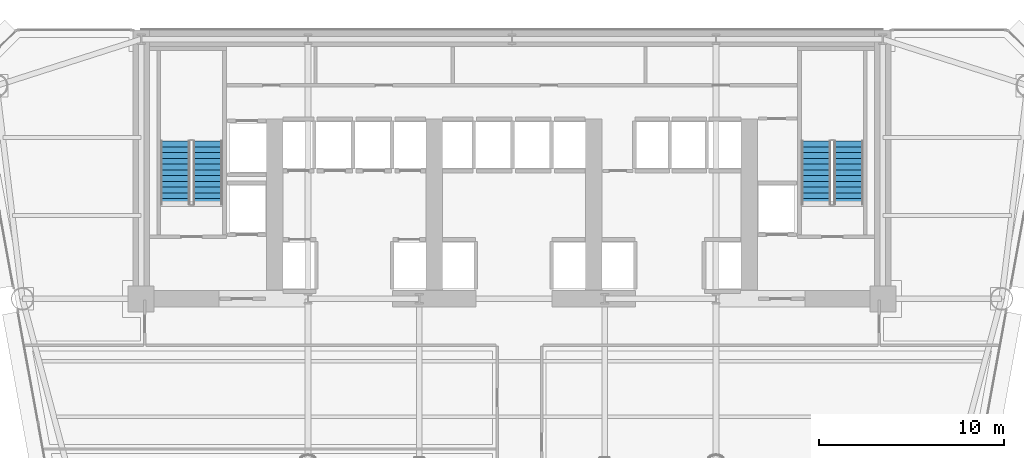
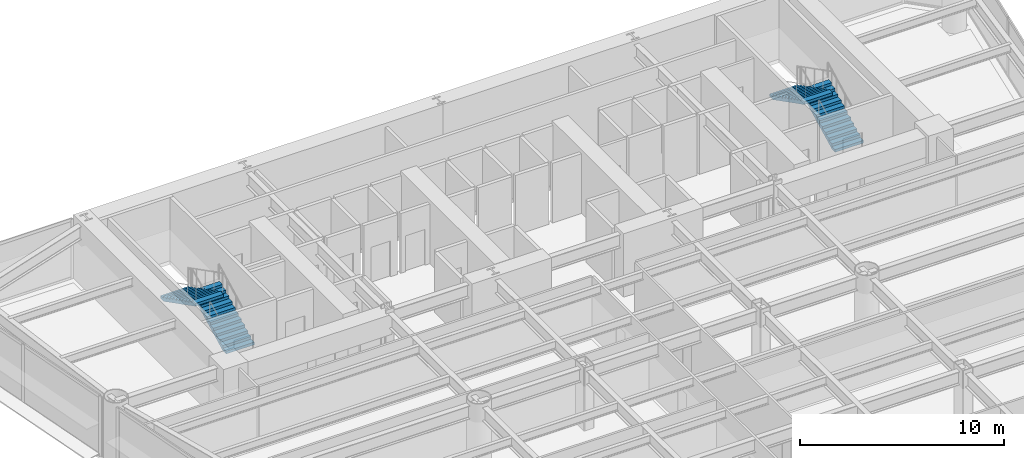
# One storey, part 10 of 14: 4 stair flights, 2 elements without a shape of their own.
"""IFC4 building model written with IfcOpenShell, lengths in metres."""

import ifcopenshell
import ifcopenshell.guid

model = None  # the IFC model being written
_history = None  # IfcOwnerHistory: only IFC2X3 demands one
_inside = {}  # id of a spatial element -> (the spatial element, [elements in it])
_under = {}  # id of a project, library or spatial element -> (it, [spatial elements below it])
_declared = {}  # id of a project -> (the project, [libraries it declares])
_typed = {}  # id of a type object -> (the type object, [elements of that type])
_made_of = {}  # id of a material, layer set ... -> (it, [elements and type objects made of it])


def new_model(schema):
    """Start an empty IFC model of exactly this schema.

    Asked for "IFC4X3", IfcOpenShell would pick the latest addendum, in which some entities
    have other attributes; the version numbers below select the first issue.
    IFC2X3 requires an IfcOwnerHistory on every rooted entity: one is made here for all.
    """
    global model, _history
    if schema == "IFC4X3":
        model = ifcopenshell.file(schema_version=(4, 3, 0, 0))
    else:
        model = ifcopenshell.file(schema=schema)
    _inside.clear()
    _under.clear()
    _declared.clear()
    _typed.clear()
    _made_of.clear()
    _history = None
    if model.schema == "IFC2X3":
        org = make("IfcOrganization", Name="unknown")
        user = make(
            "IfcPersonAndOrganization",
            ThePerson=make("IfcPerson", FamilyName="unknown"),
            TheOrganization=org,
        )
        app = make(
            "IfcApplication",
            ApplicationDeveloper=org,
            Version="unknown",
            ApplicationFullName="unknown",
            ApplicationIdentifier="unknown",
        )
        _history = make(
            "IfcOwnerHistory",
            OwningUser=user,
            OwningApplication=app,
            ChangeAction="ADDED",
            CreationDate=0,
        )
    return model


def make(cls, **values):
    """One entity of the class cls with the attributes given. An attribute that is None is left unset."""
    return model.create_entity(
        cls, **{name: value for name, value in values.items() if value is not None}
    )


def rooted(cls, **values):
    """An entity with a GlobalId (a new one), such as an element, a storey or a relation."""
    return make(cls, GlobalId=ifcopenshell.guid.new(), OwnerHistory=_history, **values)


def si_unit(unit_type, name, prefix=None):
    """IfcSIUnit, for example si_unit("LENGTHUNIT", "METRE", prefix="MILLI")."""
    return make("IfcSIUnit", UnitType=unit_type, Prefix=prefix, Name=name)


def assignment(units):
    """IfcUnitAssignment: the units of a project."""
    return None if units is None else make("IfcUnitAssignment", Units=units)


def point(xyz):
    """IfcCartesianPoint."""
    return None if xyz is None else make("IfcCartesianPoint", Coordinates=xyz)


def direction(xyz):
    """IfcDirection."""
    return None if xyz is None else make("IfcDirection", DirectionRatios=xyz)


def frame(location, z_axis=None, x_axis=None):
    """IfcAxis2Placement3D, a coordinate frame: its origin and axes. An axis left out is left unset."""
    return make(
        "IfcAxis2Placement3D",
        Location=point(location),
        Axis=direction(z_axis),
        RefDirection=direction(x_axis),
    )


def origin():
    """The frame at (0, 0, 0) with its axes left unset."""
    return frame((0.0, 0.0, 0.0))


def place(relative_to, where):
    """IfcLocalPlacement: puts the frame where relative to a parent placement (None: the world)."""
    return make(
        "IfcLocalPlacement", PlacementRelTo=relative_to, RelativePlacement=where
    )


def context(
    kind, dimensions, precision=None, world=None, true_north=None, identifier=None
):
    """IfcGeometricRepresentationContext, for example the 3D "Model" context."""
    return make(
        "IfcGeometricRepresentationContext",
        ContextIdentifier=identifier,
        ContextType=kind,
        CoordinateSpaceDimension=dimensions,
        Precision=precision,
        WorldCoordinateSystem=world,
        TrueNorth=true_north,
    )


def subcontext(parent, identifier, kind, view, scale=None):
    """IfcGeometricRepresentationSubContext, for example "Body" below "Model"."""
    return make(
        "IfcGeometricRepresentationSubContext",
        ContextIdentifier=identifier,
        ContextType=kind,
        ParentContext=parent,
        TargetScale=scale,
        TargetView=view,
    )


def project(units=None, contexts=None):
    """IfcProject with its units and contexts."""
    return rooted(
        "IfcProject",
        Name="project",
        RepresentationContexts=contexts,
        UnitsInContext=assignment(units),
    )


def spatial(cls, under=None, at=None, **own):
    """A site, building, storey or space (cls), placed at a placement, below another one or the project."""
    s = rooted(cls, ObjectPlacement=at, **own)
    if under is not None:
        _under.setdefault(under.id(), (under, []))[1].append(s)
    return s


def polyline(points):
    """IfcPolyline through the points."""
    return make("IfcPolyline", Points=[point(p) for p in points])


def outline(outer, holes=None, kind="AREA"):
    """IfcArbitraryClosedProfileDef: a profile drawn as a closed curve; with holes, ...WithVoids."""
    if holes is None:
        return make("IfcArbitraryClosedProfileDef", ProfileType=kind, OuterCurve=outer)
    return make(
        "IfcArbitraryProfileDefWithVoids",
        ProfileType=kind,
        OuterCurve=outer,
        InnerCurves=holes,
    )


def extrude(swept, where, along, depth):
    """IfcExtrudedAreaSolid: the profile swept, set in the frame where, extruded along a direction by depth."""
    return make(
        "IfcExtrudedAreaSolid",
        SweptArea=swept,
        Position=where,
        ExtrudedDirection=direction(along),
        Depth=depth,
    )


def shape(context_of_items, identifier, shape_type, items):
    """IfcShapeRepresentation: the items that make up one representation, for example the "Body"."""
    return make(
        "IfcShapeRepresentation",
        ContextOfItems=context_of_items,
        RepresentationIdentifier=identifier,
        RepresentationType=shape_type,
        Items=items,
    )


def material(Name=None, Category=None):
    """IfcMaterial."""
    return make("IfcMaterial", Name=Name, Category=Category)


def made_of(thing, what):
    """Note that an element or type object is made of a material, layer set ...; save() writes the relation."""
    if what is not None:
        _made_of.setdefault(what.id(), (what, []))[1].append(thing)
    return thing


def type_object(cls, material=None, **own):
    """A type object (cls), such as IfcWallType, which elements share."""
    return made_of(rooted(cls, **own), material)


def element(
    cls,
    number,
    at=None,
    inside=None,
    cuts=None,
    type_object=None,
    material=None,
    context=None,
    identifier="Body",
    shape_type=None,
    held_by="IfcProductDefinitionShape",
    body=None,
    shapes=None,
    **own,
):
    """One element of the class cls, such as IfcWall. Its Tag is "e" and its number.

    at: its placement. inside: the storey or other place that contains it. cuts: it is an
    opening in that element (IfcRelVoidsElement). A single representation is given by context,
    identifier, shape_type and body (its items); several are given by shapes. held_by: the class
    of the entity that holds the representations. save() writes the other relations.
    """
    e = rooted(cls, Tag="e%d" % number, ObjectPlacement=at, **own)
    if body is not None:
        shapes = [shape(context, identifier, shape_type, body)]
    if shapes is not None:
        e.Representation = make(held_by, Representations=shapes)
    if inside is not None:
        _inside.setdefault(inside.id(), (inside, []))[1].append(e)
    if cuts is not None:
        rooted(
            "IfcRelVoidsElement", RelatingBuildingElement=cuts, RelatedOpeningElement=e
        )
    if type_object is not None:
        _typed.setdefault(type_object.id(), (type_object, []))[1].append(e)
    return made_of(e, material)


def aggregate(whole, parts):
    """IfcRelAggregates: a whole, such as a stair, and the parts it consists of."""
    return rooted("IfcRelAggregates", RelatingObject=whole, RelatedObjects=parts)


def save(model, path):
    """Write the relations noted so far, then the file.

    IfcRelAggregates (storeys below a building ...), IfcRelContainedInSpatialStructure (elements
    in a storey), IfcRelDefinesByType, IfcRelAssociatesMaterial and IfcRelDeclares: one each for
    every whole, place, type object, material and project.
    """
    for whole, parts in _under.values():
        aggregate(whole, parts)
    for where, things in _inside.values():
        rooted(
            "IfcRelContainedInSpatialStructure",
            RelatedElements=things,
            RelatingStructure=where,
        )
    for kind, things in _typed.values():
        rooted("IfcRelDefinesByType", RelatedObjects=things, RelatingType=kind)
    for what, things in _made_of.values():
        rooted("IfcRelAssociatesMaterial", RelatedObjects=things, RelatingMaterial=what)
    for by, libraries in _declared.values():
        rooted("IfcRelDeclares", RelatingContext=by, RelatedDefinitions=libraries)
    model.write(path)


model = new_model("IFC4")

# Units and contexts
model_context = context("Model", 3, precision=1e-05, world=origin(), true_north=direction((0.0, 1.0)))
body_context = subcontext(model_context, "Body", "Model", "MODEL_VIEW")
ifc_project = project(units=[si_unit("LENGTHUNIT", "METRE"), si_unit("AREAUNIT", "SQUARE_METRE"), si_unit("VOLUMEUNIT", "CUBIC_METRE"), si_unit("PLANEANGLEUNIT", "RADIAN"), si_unit("MASSUNIT", "GRAM", prefix="KILO")], contexts=[model_context])

# Site, building, storey
site_placement = place(None, origin())
site = spatial("IfcSite", under=ifc_project, at=site_placement, CompositionType="ELEMENT")
building_placement = place(site_placement, origin())
building = spatial("IfcBuilding", under=site, at=building_placement, Name="Vaeldorn Concourse Tower", CompositionType="ELEMENT")
storey_placement = place(building_placement, frame((0.0, 0.0, 68.199951171875)))
storey = spatial("IfcBuildingStorey", under=building, at=storey_placement, Name="L17", CompositionType="ELEMENT", Elevation=68.199951171875)

# Stair, stair flights
ifc_material = material(Name="Precast concrete C40/50", Category="concrete")
stair_type = type_object("IfcStairType", Name="STR-DOG-24x158", PredefinedType="HALF_TURN_STAIR", material=ifc_material)
stair_1_placement = place(storey_placement, origin())
stair_1 = element("IfcStair", 1, at=stair_1_placement, inside=storey, type_object=stair_type, Name="L17 West Core Exit Stair ST-1", PredefinedType="HALF_TURN_STAIR")
stair_flight_type = type_object("IfcStairFlightType", Name="STF-STR-12x158", PredefinedType="STRAIGHT", material=ifc_material)
stair_flight_1_placement = place(storey_placement, frame((17.60009765625, 41.60009765625, 0.0), z_axis=(0.0, 0.0, 1.0), x_axis=(0.0, 1.0, 0.0)))
stair_flight_1 = element("IfcStairFlight", 2, at=stair_flight_1_placement, type_object=stair_flight_type, Name="ST-1 flight 1", NumberOfRisers=12, NumberOfTreads=11, PredefinedType="STRAIGHT", RiserHeight=0.158333333, TreadLength=0.31, context=body_context, shape_type="SweptSolid", body=[
    extrude(outline(polyline([(0.0, 0.0), (0.0, 0.158447265625), (0.31005859375, 0.158447265625), (0.31005859375, 0.316650390625), (0.6201171875, 0.316650390625), (0.6201171875, 0.47509765625), (0.929931640625, 0.47509765625), (0.929931640625, 0.63330078125), (1.239990234375, 0.63330078125), (1.239990234375, 0.791748046875), (1.550048828125, 0.791748046875), (1.550048828125, 0.949951171875), (1.860107421875, 0.949951171875), (1.860107421875, 1.1083984375), (2.169921875, 1.1083984375), (2.169921875, 1.2666015625), (2.47998046875, 1.2666015625), (2.47998046875, 1.425048828125), (2.7900390625, 1.425048828125), (2.7900390625, 1.583251953125), (3.10009765625, 1.583251953125), (3.10009765625, 1.74169921875), (3.409912109375, 1.74169921875), (3.409912109375, 1.89990234375), (3.409912109375, 1.5732421875), (0.32958984375, 0.0), (0.0, 0.0)])), frame((0.0, 0.800048828125, 0.0), z_axis=(0.0, -1.0, 0.0), x_axis=(1.0, 0.0, 0.0)), (0.0, 0.0, 1.0), 1.60009765625),
])
stair_flight_2_placement = place(storey_placement, frame((15.85009765625, 45.010009765625, 1.900146484375), z_axis=(0.0, 0.0, 1.0), x_axis=(0.0, -1.0, 0.0)))
stair_flight_2 = element("IfcStairFlight", 3, at=stair_flight_2_placement, type_object=stair_flight_type, Name="ST-1 flight 2", NumberOfRisers=12, NumberOfTreads=11, PredefinedType="STRAIGHT", RiserHeight=0.158333333, TreadLength=0.31, context=body_context, shape_type="SweptSolid", body=[
    extrude(outline(polyline([(0.0, 0.0), (0.0, 0.158447265625), (0.31005859375, 0.158447265625), (0.31005859375, 0.316650390625), (0.6201171875, 0.316650390625), (0.6201171875, 0.47509765625), (0.929931640625, 0.47509765625), (0.929931640625, 0.63330078125), (1.239990234375, 0.63330078125), (1.239990234375, 0.791748046875), (1.550048828125, 0.791748046875), (1.550048828125, 0.949951171875), (1.860107421875, 0.949951171875), (1.860107421875, 1.1083984375), (2.169921875, 1.1083984375), (2.169921875, 1.2666015625), (2.47998046875, 1.2666015625), (2.47998046875, 1.425048828125), (2.7900390625, 1.425048828125), (2.7900390625, 1.583251953125), (3.10009765625, 1.583251953125), (3.10009765625, 1.74169921875), (3.409912109375, 1.74169921875), (3.409912109375, 1.89990234375), (3.409912109375, 1.5732421875), (0.32958984375, 0.0), (0.0, 0.0)])), frame((0.0, 0.800048828125, 0.0), z_axis=(0.0, -1.0, 0.0), x_axis=(1.0, 0.0, 0.0)), (0.0, 0.0, 1.0), 1.60009765625),
])
aggregate(stair_1, [stair_flight_1, stair_flight_2])

stair_2_placement = place(storey_placement, origin())
stair_2 = element("IfcStair", 4, at=stair_2_placement, inside=storey, type_object=stair_type, Name="L17 East Core Exit Stair ST-2", PredefinedType="HALF_TURN_STAIR")
stair_flight_3_placement = place(storey_placement, frame((52.14990234375, 41.60009765625, 0.0), z_axis=(0.0, 0.0, 1.0), x_axis=(0.0, 1.0, 0.0)))
stair_flight_3 = element("IfcStairFlight", 5, at=stair_flight_3_placement, type_object=stair_flight_type, Name="ST-2 flight 1", NumberOfRisers=12, NumberOfTreads=11, PredefinedType="STRAIGHT", RiserHeight=0.158333333, TreadLength=0.31, context=body_context, shape_type="SweptSolid", body=[
    extrude(outline(polyline([(0.0, 0.0), (0.0, 0.158447265625), (0.31005859375, 0.158447265625), (0.31005859375, 0.316650390625), (0.6201171875, 0.316650390625), (0.6201171875, 0.47509765625), (0.929931640625, 0.47509765625), (0.929931640625, 0.63330078125), (1.239990234375, 0.63330078125), (1.239990234375, 0.791748046875), (1.550048828125, 0.791748046875), (1.550048828125, 0.949951171875), (1.860107421875, 0.949951171875), (1.860107421875, 1.1083984375), (2.169921875, 1.1083984375), (2.169921875, 1.2666015625), (2.47998046875, 1.2666015625), (2.47998046875, 1.425048828125), (2.7900390625, 1.425048828125), (2.7900390625, 1.583251953125), (3.10009765625, 1.583251953125), (3.10009765625, 1.74169921875), (3.409912109375, 1.74169921875), (3.409912109375, 1.89990234375), (3.409912109375, 1.5732421875), (0.32958984375, 0.0), (0.0, 0.0)])), frame((0.0, 0.800048828125, 0.0), z_axis=(0.0, -1.0, 0.0), x_axis=(1.0, 0.0, 0.0)), (0.0, 0.0, 1.0), 1.60009765625),
])
stair_flight_4_placement = place(storey_placement, frame((50.39990234375, 45.010009765625, 1.900146484375), z_axis=(0.0, 0.0, 1.0), x_axis=(0.0, -1.0, 0.0)))
stair_flight_4 = element("IfcStairFlight", 6, at=stair_flight_4_placement, type_object=stair_flight_type, Name="ST-2 flight 2", NumberOfRisers=12, NumberOfTreads=11, PredefinedType="STRAIGHT", RiserHeight=0.158333333, TreadLength=0.31, context=body_context, shape_type="SweptSolid", body=[
    extrude(outline(polyline([(0.0, 0.0), (0.0, 0.158447265625), (0.31005859375, 0.158447265625), (0.31005859375, 0.316650390625), (0.6201171875, 0.316650390625), (0.6201171875, 0.47509765625), (0.929931640625, 0.47509765625), (0.929931640625, 0.63330078125), (1.239990234375, 0.63330078125), (1.239990234375, 0.791748046875), (1.550048828125, 0.791748046875), (1.550048828125, 0.949951171875), (1.860107421875, 0.949951171875), (1.860107421875, 1.1083984375), (2.169921875, 1.1083984375), (2.169921875, 1.2666015625), (2.47998046875, 1.2666015625), (2.47998046875, 1.425048828125), (2.7900390625, 1.425048828125), (2.7900390625, 1.583251953125), (3.10009765625, 1.583251953125), (3.10009765625, 1.74169921875), (3.409912109375, 1.74169921875), (3.409912109375, 1.89990234375), (3.409912109375, 1.5732421875), (0.32958984375, 0.0), (0.0, 0.0)])), frame((0.0, 0.800048828125, 0.0), z_axis=(0.0, -1.0, 0.0), x_axis=(1.0, 0.0, 0.0)), (0.0, 0.0, 1.0), 1.60009765625),
])
aggregate(stair_2, [stair_flight_3, stair_flight_4])

save(model, "model.ifc")
